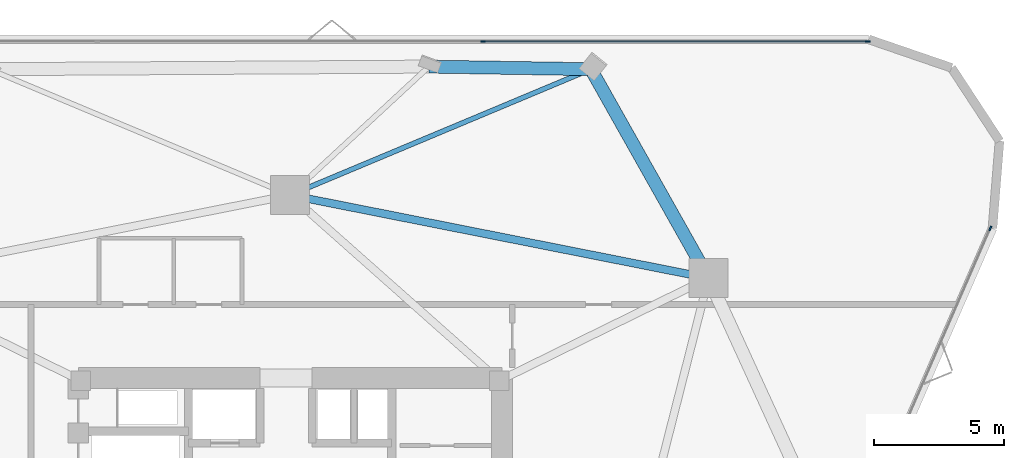
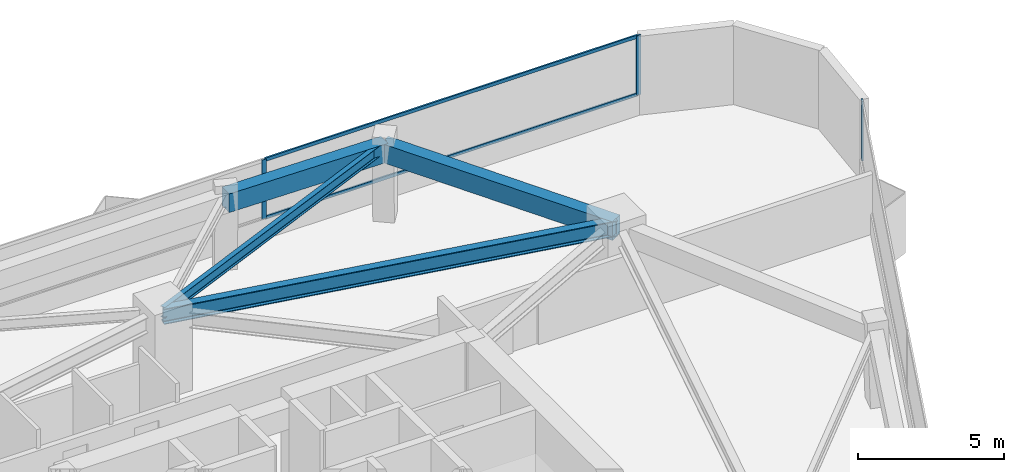
# One storey, part 8 of 13: 5 members, 4 beams, 2 elements without a shape of their own.
"""IFC4 building model written with IfcOpenShell, lengths in metres."""

from ifc_helpers import new_model, si_unit, direction, frame, origin, origin_2d, place, context, subcontext, project, spatial, rectangle, i_section, extrude, material, layer, layer_set, material_profile, profile_set, type_object, element, aggregate, save


model = new_model("IFC4")

# Units and contexts
model_context = context("Model", 3, precision=1e-05, world=origin(), true_north=direction((0.0, 1.0)))
body_context = subcontext(model_context, "Body", "Model", "MODEL_VIEW")
ifc_project = project(units=[si_unit("LENGTHUNIT", "METRE"), si_unit("AREAUNIT", "SQUARE_METRE"), si_unit("VOLUMEUNIT", "CUBIC_METRE"), si_unit("PLANEANGLEUNIT", "RADIAN"), si_unit("MASSUNIT", "GRAM", prefix="KILO")], contexts=[model_context])

# Site, building, storey
site_placement = place(None, origin())
site = spatial("IfcSite", under=ifc_project, at=site_placement, CompositionType="ELEMENT")
building_placement = place(site_placement, origin())
building = spatial("IfcBuilding", under=site, at=building_placement, Name="Talyreon Biosciences Tower", CompositionType="ELEMENT")
storey_placement = place(building_placement, frame((0.0, 0.0, 167.35009765625)))
storey = spatial("IfcBuildingStorey", under=building, at=storey_placement, Name="L44", CompositionType="ELEMENT", Elevation=167.35009765625)

# Curtain wall, members
ifc_material_1 = material(Name="Thermally broken aluminium and low-E glazing", Category="aluminium")
ifc_layer = layer(ifc_material_1, 0.18505859375)
ifc_layer_set = layer_set([ifc_layer], Name="Thermally broken aluminium and low-E glazing")
curtain_wall_type = type_object("IfcCurtainWallType", Name="CurtainWall_Zone3Bioprocess", PredefinedType="NOTDEFINED", material=ifc_layer_set)
curtain_wall_1_placement = place(storey_placement, origin())
curtain_wall_1 = element("IfcCurtainWall", 1, at=curtain_wall_1_placement, inside=storey, type_object=curtain_wall_type, Name="L44 Unitised Curtain Wall FCW-L44-04", PredefinedType="NOTDEFINED")
ifc_material_2 = material(Name="Anodised thermally broken aluminium", Category="aluminium")
ifc_material_profile_1 = material_profile(ifc_material_2, rectangle(XDim=0.06494140625, YDim=0.179931640625, at=origin_2d()), Name="ALUM MULLION 65x180")
ifc_profile_set_1 = profile_set([ifc_material_profile_1], Name="Anodised thermally broken aluminium")
member_type_1 = type_object("IfcMemberType", Name="CWMullion_65x180", PredefinedType="MULLION", material=ifc_profile_set_1)
member_1_placement = place(storey_placement, frame((73.42041015625, 87.705810546875, 0.809814453125), z_axis=(0.0, 0.0, 1.0), x_axis=(0.0, 1.0, 0.0)))
member_1 = element("IfcMember", 2, at=member_1_placement, type_object=member_type_1, Name="CW4 mullion 3", PredefinedType="MULLION", context=body_context, shape_type="SweptSolid", body=[
    extrude(rectangle(XDim=0.06494140625, YDim=0.179931640625, at=origin_2d()), origin(), (0.0, 0.0, 1.0), 2.489990234375),
])
member_2_placement = place(storey_placement, frame((88.22900390625, 87.705810546875, 0.809814453125), z_axis=(0.0, 0.0, 1.0), x_axis=(0.0, 1.0, 0.0)))
member_2 = element("IfcMember", 3, at=member_2_placement, type_object=member_type_1, Name="CW4 mullion 4", PredefinedType="MULLION", context=body_context, shape_type="SweptSolid", body=[
    extrude(rectangle(XDim=0.06494140625, YDim=0.179931640625, at=origin_2d()), origin(), (0.0, 0.0, 1.0), 2.489990234375),
])

# Curtain wall, member
curtain_wall_2_placement = place(storey_placement, origin())
curtain_wall_2 = element("IfcCurtainWall", 4, at=curtain_wall_2_placement, inside=storey, type_object=curtain_wall_type, Name="L44 Unitised Curtain Wall FCW-L44-08", PredefinedType="NOTDEFINED")
member_3_placement = place(storey_placement, frame((92.942626953125, 80.511474609375, 0.809814453125), z_axis=(0.0, 0.0, 1.0), x_axis=(0.916820215501, -0.399300253505, 0.0)))
member_3 = element("IfcMember", 5, at=member_3_placement, type_object=member_type_1, Name="CW4 mullion 1", PredefinedType="MULLION", context=body_context, shape_type="SweptSolid", body=[
    extrude(rectangle(XDim=0.06494140625, YDim=0.179931640625, at=origin_2d()), origin(), (0.0, 0.0, 1.0), 2.489990234375),
])
aggregate(curtain_wall_2, [member_3])

# Member
ifc_material_profile_2 = material_profile(ifc_material_2, rectangle(XDim=0.06494140625, YDim=0.139892578125, at=origin_2d()), Name="ALUM TRANSOM 65x140")
ifc_profile_set_2 = profile_set([ifc_material_profile_2], Name="Anodised thermally broken aluminium")
member_type_2 = type_object("IfcMemberType", Name="CWTransom_65x140", PredefinedType="USERDEFINED", material=ifc_profile_set_2)
member_4_placement = place(storey_placement, frame((73.452880859375, 87.705810546875, 0.84228515625), z_axis=(1.0, 0.0, 0.0), x_axis=(0.0, 1.0, 0.0)))
member_4 = element("IfcMember", 6, at=member_4_placement, type_object=member_type_2, Name="CW4 transom 3.1", ObjectType="TRANSOM", PredefinedType="USERDEFINED", context=body_context, shape_type="SweptSolid", body=[
    extrude(rectangle(XDim=0.06494140625, YDim=0.139892578125, at=origin_2d()), origin(), (0.0, 0.0, 1.0), 14.74365234375),
])

member_5_placement = place(storey_placement, frame((73.452880859375, 87.705810546875, 3.267333984375), z_axis=(1.0, 0.0, 0.0), x_axis=(0.0, 1.0, 0.0)))
member_5 = element("IfcMember", 7, at=member_5_placement, type_object=member_type_2, Name="CW4 transom 3.2", ObjectType="TRANSOM", PredefinedType="USERDEFINED", context=body_context, shape_type="SweptSolid", body=[
    extrude(rectangle(XDim=0.06494140625, YDim=0.139892578125, at=origin_2d()), origin(), (0.0, 0.0, 1.0), 14.74365234375),
])

aggregate(curtain_wall_1, [member_1, member_2, member_4, member_5])

# Beams
ifc_material_3 = material(Name="Precast concrete C45/55", Category="concrete")
ifc_material_profile_3 = material_profile(ifc_material_3, rectangle(XDim=0.5, YDim=0.780029296875, at=origin_2d()), Name="RCB 500x780")
ifc_profile_set_3 = profile_set([ifc_material_profile_3], Name="Precast concrete C45/55")
beam_type_1 = type_object("IfcBeamType", Name="ExpressedSpandrel_500x780", PredefinedType="SPANDREL", material=ifc_profile_set_3)
beam_1_placement = place(storey_placement, frame((82.102294921875, 78.5986328125, 2.909912109375), z_axis=(-0.490713561422, 0.871320951565, 0.0), x_axis=(-0.871320951565, -0.490713561422, 0.0)))
element("IfcBeam", 8, at=beam_1_placement, inside=storey, type_object=beam_type_1, Name="L44 Expressed Horizontal Concrete Spandrel 05", PredefinedType="SPANDREL", context=body_context, shape_type="SweptSolid", body=[
    extrude(rectangle(XDim=0.5, YDim=0.780029296875, at=origin_2d()), origin(), (0.0, 0.0, 1.0), 9.22412109375),
])
beam_2_placement = place(storey_placement, frame((77.575927734375, 86.6357421875, 2.909912109375), z_axis=(-0.999871708646, 0.016017685513, 0.0), x_axis=(-0.016017685513, -0.999871708646, 0.0)))
element("IfcBeam", 9, at=beam_2_placement, inside=storey, type_object=beam_type_1, Name="L44 Expressed Horizontal Concrete Spandrel 06", PredefinedType="SPANDREL", context=body_context, shape_type="SweptSolid", body=[
    extrude(rectangle(XDim=0.5, YDim=0.780029296875, at=origin_2d()), origin(), (0.0, 0.0, 1.0), 6.23388671875),
])
ifc_material_4 = material(Name="Steel SM355", Category="steel")
ifc_material_profile_4 = material_profile(ifc_material_4, i_section(OverallWidth=0.300048828125, OverallDepth=0.64990234375, WebThickness=0.01611328125, FlangeThickness=0.031005859375, FilletRadius=0.027099609375, at=origin_2d()), Name="HE650B")
ifc_profile_set_4 = profile_set([ifc_material_profile_4], Name="Steel SM355")
beam_type_2 = type_object("IfcBeamType", Name="SteelBeam_HE650B", PredefinedType="BEAM", material=ifc_profile_set_4)
beam_3_placement = place(storey_placement, frame((82.102294921875, 78.5986328125, 2.974853515625), z_axis=(-0.980933730698, 0.194342522311, 0.0), x_axis=(-0.194342522311, -0.980933730698, 0.0)))
element("IfcBeam", 10, at=beam_3_placement, inside=storey, type_object=beam_type_2, Name="L44 Mega-Ring Girder 3", PredefinedType="BEAM", context=body_context, shape_type="SweptSolid", body=[
    extrude(i_section(OverallWidth=0.300048828125, OverallDepth=0.64990234375, WebThickness=0.01611328125, FlangeThickness=0.031005859375, FilletRadius=0.027099609375, at=origin_2d()), origin(), (0.0, 0.0, 1.0), 16.415283203125),
])
ifc_material_profile_5 = material_profile(ifc_material_4, i_section(OverallWidth=0.18994140625, OverallDepth=0.449951171875, WebThickness=0.009521484375, FlangeThickness=0.0146484375, FilletRadius=0.02099609375, at=origin_2d()), Name="IPE450")
ifc_profile_set_5 = profile_set([ifc_material_profile_5], Name="Steel SM355")
beam_type_3 = type_object("IfcBeamType", Name="SteelJoist_IPE450", PredefinedType="JOIST", material=ifc_profile_set_5)
beam_4_placement = place(storey_placement, frame((66.0, 81.788818359375, 3.074951171875), z_axis=(0.922407305261, 0.386218543316, 0.0), x_axis=(-0.386218543316, 0.922407305261, 0.0)))
element("IfcBeam", 11, at=beam_4_placement, inside=storey, type_object=beam_type_3, Name="L44 Radial Composite Floor Joist PC-N1", PredefinedType="JOIST", context=body_context, shape_type="SweptSolid", body=[
    extrude(i_section(OverallWidth=0.18994140625, OverallDepth=0.449951171875, WebThickness=0.009521484375, FlangeThickness=0.0146484375, FilletRadius=0.02099609375, at=origin_2d()), origin(), (0.0, 0.0, 1.0), 12.5498046875),
])

save(model, "model.ifc")
